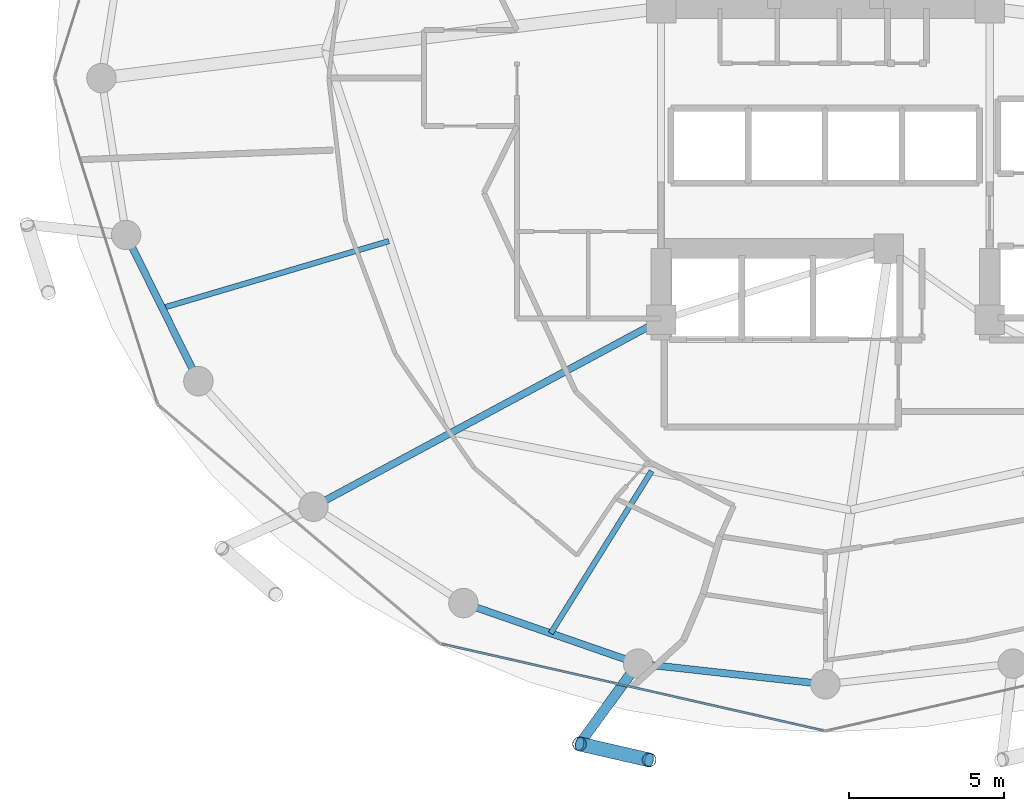
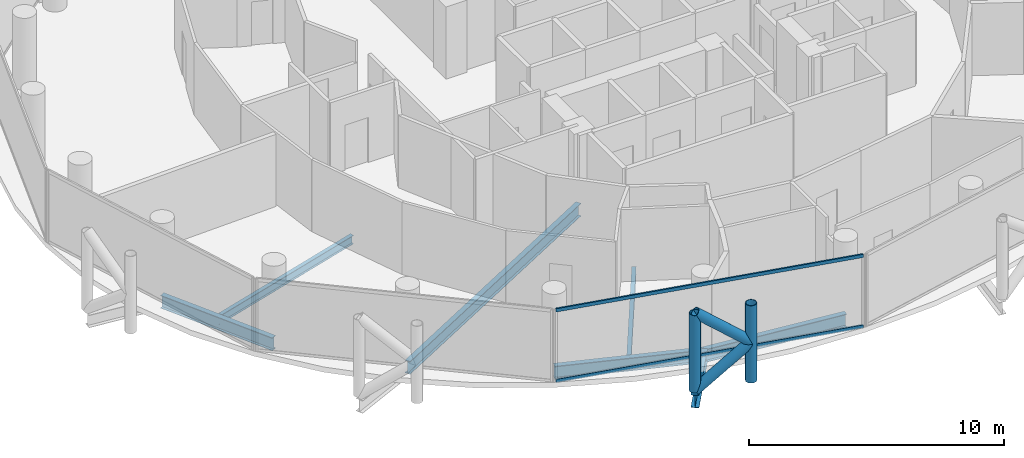
# One storey, part 3 of 26: 7 beams, 6 members, 1 element without a shape of its own.
"""IFC4 building model written with IfcOpenShell, lengths in metres."""

from ifc_helpers import new_model, si_unit, direction, frame, origin, origin_2d, place, context, subcontext, project, spatial, hollow_rectangle, hollow_circle, i_section, extrude, material, layer, layer_set, material_profile, profile_set, type_object, element, aggregate, save


model = new_model("IFC4")

# Units and contexts
model_context = context("Model", 3, precision=1e-05, world=origin(), true_north=direction((0.0, 1.0)))
body_context = subcontext(model_context, "Body", "Model", "MODEL_VIEW")
ifc_project = project(units=[si_unit("LENGTHUNIT", "METRE"), si_unit("AREAUNIT", "SQUARE_METRE"), si_unit("VOLUMEUNIT", "CUBIC_METRE"), si_unit("PLANEANGLEUNIT", "RADIAN"), si_unit("MASSUNIT", "GRAM", prefix="KILO")], contexts=[model_context])

# Site, building, storey
site_placement = place(None, origin())
site = spatial("IfcSite", under=ifc_project, at=site_placement, CompositionType="ELEMENT")
building_placement = place(site_placement, origin())
building = spatial("IfcBuilding", under=site, at=building_placement, Name="Nuhasar Tower", CompositionType="ELEMENT")
storey_placement = place(building_placement, frame((0.0, 0.0, 133.050048828125)))
storey = spatial("IfcBuildingStorey", under=building, at=storey_placement, Name="L31", CompositionType="ELEMENT", Elevation=133.050048828125)

# Beams
ifc_material_1 = material(Name="Steel S355", Category="steel")
ifc_material_profile_1 = material_profile(ifc_material_1, i_section(OverallWidth=0.177978515625, OverallDepth=0.406005859375, WebThickness=0.0078125, FlangeThickness=0.0126953125, at=origin_2d()), Name="W16X40")
ifc_profile_set_1 = profile_set([ifc_material_profile_1], Name="Steel S355")
beam_type_1 = type_object("IfcBeamType", Name="BM-JST-W16X40", PredefinedType="JOIST", material=ifc_profile_set_1)
beam_1_placement = place(storey_placement, frame((33.39697265625, 14.1279296875, -0.453125), z_axis=(-0.528139463011, -0.849157645912, 0.0), x_axis=(0.849157645912, -0.528139463011, 0.0)))
element("IfcBeam", 1, at=beam_1_placement, inside=storey, type_object=beam_type_1, Name="L31 Secondary Floor Joist 01", PredefinedType="JOIST", context=body_context, shape_type="SweptSolid", body=[
    extrude(i_section(OverallWidth=0.177978515625, OverallDepth=0.406005859375, WebThickness=0.0078125, FlangeThickness=0.0126953125, at=origin_2d()), origin(), (0.0, 0.0, 1.0), 6.164794921875),
])
beam_2_placement = place(storey_placement, frame((24.922119140625, 21.54296875, -0.453125), z_axis=(-0.959013356257, -0.283360869775, 0.0), x_axis=(0.283360869775, -0.959013356257, 0.0)))
element("IfcBeam", 2, at=beam_2_placement, inside=storey, type_object=beam_type_1, Name="L31 Secondary Floor Joist 08", PredefinedType="JOIST", context=body_context, shape_type="SweptSolid", body=[
    extrude(i_section(OverallWidth=0.177978515625, OverallDepth=0.406005859375, WebThickness=0.0078125, FlangeThickness=0.0126953125, at=origin_2d()), origin(), (0.0, 0.0, 1.0), 7.62255859375),
])
ifc_material_profile_2 = material_profile(ifc_material_1, i_section(OverallWidth=0.22900390625, OverallDepth=0.612060546875, WebThickness=0.011962890625, FlangeThickness=0.01953125, at=origin_2d()), Name="W24X84")
ifc_profile_set_2 = profile_set([ifc_material_profile_2], Name="Steel S355")
beam_type_2 = type_object("IfcBeamType", Name="BM-RAD-W24X84", PredefinedType="BEAM", material=ifc_profile_set_2)
beam_3_placement = place(storey_placement, frame((33.699951171875, 19.0, -0.55615234375), z_axis=(-0.880888386928, -0.473324043098, 0.0), x_axis=(0.473324043098, -0.880888386928, 0.0)))
element("IfcBeam", 3, at=beam_3_placement, inside=storey, type_object=beam_type_2, Name="L31 Radial Floor Girder 01", PredefinedType="BEAM", context=body_context, shape_type="SweptSolid", body=[
    extrude(i_section(OverallWidth=0.22900390625, OverallDepth=0.612060546875, WebThickness=0.011962890625, FlangeThickness=0.01953125, at=origin_2d()), origin(), (0.0, 0.0, 1.0), 12.726806640625),
])
ifc_material_profile_3 = material_profile(ifc_material_1, i_section(OverallWidth=0.22998046875, OverallDepth=0.616943359375, WebThickness=0.01318359375, FlangeThickness=0.022216796875, at=origin_2d()), Name="W24X94")
ifc_profile_set_3 = profile_set([ifc_material_profile_3], Name="Steel S355")
beam_type_3 = type_object("IfcBeamType", Name="BM-RING-W24X94", PredefinedType="SPANDREL", material=ifc_profile_set_3)
beam_4_placement = place(storey_placement, frame((16.446044921875, 21.739990234375, -0.55810546875), z_axis=(0.443329327657, -0.896358804966, 0.0), x_axis=(0.896358804966, 0.443329327657, 0.0)))
element("IfcBeam", 4, at=beam_4_placement, inside=storey, type_object=beam_type_3, Name="L31 Perimeter Ring Spandrel 14", PredefinedType="SPANDREL", context=body_context, shape_type="SweptSolid", body=[
    extrude(i_section(OverallWidth=0.22998046875, OverallDepth=0.616943359375, WebThickness=0.01318359375, FlangeThickness=0.022216796875, at=origin_2d()), origin(), (0.0, 0.0, 1.0), 5.26025390625),
])
beam_5_placement = place(storey_placement, frame((27.324951171875, 9.868896484375, -0.55810546875), z_axis=(0.944814057608, -0.327607076458, 0.0), x_axis=(0.327607076458, 0.944814057608, 0.0)))
element("IfcBeam", 5, at=beam_5_placement, inside=storey, type_object=beam_type_3, Name="L31 Perimeter Ring Spandrel 17", PredefinedType="SPANDREL", context=body_context, shape_type="SweptSolid", body=[
    extrude(i_section(OverallWidth=0.22998046875, OverallDepth=0.616943359375, WebThickness=0.01318359375, FlangeThickness=0.022216796875, at=origin_2d()), origin(), (0.0, 0.0, 1.0), 5.9609375),
])
beam_6_placement = place(storey_placement, frame((32.95703125, 7.916015625, -0.55810546875), z_axis=(0.993981289157, -0.109549974015, 0.0), x_axis=(0.109549974015, 0.993981289157, 0.0)))
element("IfcBeam", 6, at=beam_6_placement, inside=storey, type_object=beam_type_3, Name="L31 Perimeter Ring Spandrel 18", PredefinedType="SPANDREL", context=body_context, shape_type="SweptSolid", body=[
    extrude(i_section(OverallWidth=0.22998046875, OverallDepth=0.616943359375, WebThickness=0.01318359375, FlangeThickness=0.022216796875, at=origin_2d()), origin(), (0.0, 0.0, 1.0), 6.07958984375),
])
ifc_material_profile_4 = material_profile(ifc_material_1, i_section(OverallWidth=0.323974609375, OverallDepth=0.611083984375, WebThickness=0.0126953125, FlangeThickness=0.01904296875, at=origin_2d()), Name="W24X104")
ifc_profile_set_4 = profile_set([ifc_material_profile_4], Name="Steel S355")
beam_type_4 = type_object("IfcBeamType", Name="BM-TIE-W24X104", PredefinedType="BEAM", material=ifc_profile_set_4)
beam_7_placement = place(storey_placement, frame((32.95703125, 7.916015625, -0.554931640625), z_axis=(-0.588149050751, -0.808752554309, 0.0), x_axis=(0.808752554309, -0.588149050751, 0.0)))
element("IfcBeam", 7, at=beam_7_placement, inside=storey, type_object=beam_type_4, Name="L31 Exoskeleton Node Tie Beam 09", PredefinedType="BEAM", context=body_context, shape_type="SweptSolid", body=[
    extrude(i_section(OverallWidth=0.323974609375, OverallDepth=0.611083984375, WebThickness=0.0126953125, FlangeThickness=0.01904296875, at=origin_2d()), origin(), (0.0, 0.0, 1.0), 3.205078125),
])

# Curtain wall, members
ifc_material_2 = material(Name="Aluminium 6063-T6", Category="aluminium")
ifc_layer = layer(ifc_material_2, 0.199951171875)
ifc_layer_set = layer_set([ifc_layer], Name="Aluminium 6063-T6")
curtain_wall_type = type_object("IfcCurtainWallType", Name="CW-Z2-HTL", PredefinedType="NOTDEFINED", material=ifc_layer_set)
curtain_wall_placement = place(storey_placement, origin())
curtain_wall = element("IfcCurtainWall", 8, at=curtain_wall_placement, inside=storey, type_object=curtain_wall_type, Name="L31 Unitised Curtain Wall 09", PredefinedType="NOTDEFINED")
ifc_material_profile_5 = material_profile(ifc_material_2, hollow_rectangle(XDim=0.070068359375, YDim=0.159912109375, WallThickness=0.00439453125, at=origin_2d()), Name="CWT-3")
ifc_profile_set_5 = profile_set([ifc_material_profile_5], Name="Aluminium 6063-T6")
member_type_1 = type_object("IfcMemberType", Name="CW-TRN-S3", PredefinedType="USERDEFINED", material=ifc_profile_set_5)
member_1_placement = place(storey_placement, frame((26.63818359375, 8.54638671875, 0.034912109375), z_axis=(0.975187615691, -0.221380022142, 0.0), x_axis=(0.221380022142, 0.975187615691, 0.0)))
member_1 = element("IfcMember", 9, at=member_1_placement, type_object=member_type_1, Name="CW-Z2 transom 1.1", ObjectType="TRANSOM", PredefinedType="USERDEFINED", context=body_context, shape_type="SweptSolid", body=[
    extrude(hollow_rectangle(XDim=0.070068359375, YDim=0.159912109375, WallThickness=0.00439453125, at=origin_2d()), origin(), (0.0, 0.0, 1.0), 12.606201171875),
])
member_2_placement = place(storey_placement, frame((26.63818359375, 8.54638671875, 3.4150390625), z_axis=(0.975187615691, -0.221380022142, 0.0), x_axis=(0.221380022142, 0.975187615691, 0.0)))
member_2 = element("IfcMember", 10, at=member_2_placement, type_object=member_type_1, Name="CW-Z2 transom 1.2", ObjectType="TRANSOM", PredefinedType="USERDEFINED", context=body_context, shape_type="SweptSolid", body=[
    extrude(hollow_rectangle(XDim=0.070068359375, YDim=0.159912109375, WallThickness=0.00439453125, at=origin_2d()), origin(), (0.0, 0.0, 1.0), 12.606201171875),
])
aggregate(curtain_wall, [member_1, member_2])

# Members
ifc_material_3 = material(Name="Steel S460", Category="steel")
ifc_material_profile_6 = material_profile(ifc_material_3, hollow_circle(Radius=0.228515625, WallThickness=0.022216796875, at=origin_2d()), Name="HSS457X22.2")
ifc_profile_set_6 = profile_set([ifc_material_profile_6], Name="Steel S460")
member_type_2 = type_object("IfcMemberType", Name="EXO-BRONZE-457", PredefinedType="BRACE", material=ifc_profile_set_6)
for number, where, z_axis, x_axis, name in (
    (11, (31.072021484375, 5.323974609375, 0.0), (0.0, 0.0, 1.0), (1.0, 0.0, 0.0), "L31 Exoskeleton Chord Column EC-09A"),
    (12, (33.31396484375, 4.81005859375, 0.0), (0.0, 0.0, 1.0), (1.0, 0.0, 0.0), "L31 Exoskeleton Chord Column EC-09B"),
):
    element("IfcMember", number, at=place(storey_placement, frame(where, z_axis=z_axis, x_axis=x_axis)), inside=storey, type_object=member_type_2, Name=name, PredefinedType="BRACE", context=body_context, shape_type="SweptSolid", body=[
        extrude(hollow_circle(Radius=0.228515625, WallThickness=0.022216796875, at=origin_2d()), origin(), (0.0, 0.0, 1.0), 3.699951171875),
    ])
member_3_placement = place(storey_placement, frame((31.072021484375, 5.323974609375, 0.0), z_axis=(0.759549860492, -0.174110035537, 0.626713415327), x_axis=(0.223432882746, 0.974719316987, 0.0)))
element("IfcMember", 13, at=member_3_placement, inside=storey, type_object=member_type_2, Name="L31 Bronze Diagrid Brace W1-09", PredefinedType="BRACE", context=body_context, shape_type="SweptSolid", body=[
    extrude(hollow_circle(Radius=0.228515625, WallThickness=0.022216796875, at=origin_2d()), origin(), (0.0, 0.0, 1.0), 2.95166015625),
])
member_4_placement = place(storey_placement, frame((33.31396484375, 4.81005859375, 1.849853515625), z_axis=(-0.759510488094, 0.174101010284, 0.626763637022), x_axis=(-0.223432882746, -0.974719316987, 0.0)))
element("IfcMember", 14, at=member_4_placement, inside=storey, type_object=member_type_2, Name="L31 Bronze Diagrid Brace W2-09", PredefinedType="BRACE", context=body_context, shape_type="SweptSolid", body=[
    extrude(hollow_circle(Radius=0.228515625, WallThickness=0.022216796875, at=origin_2d()), origin(), (0.0, 0.0, 1.0), 2.951904296875),
])

save(model, "model.ifc")
